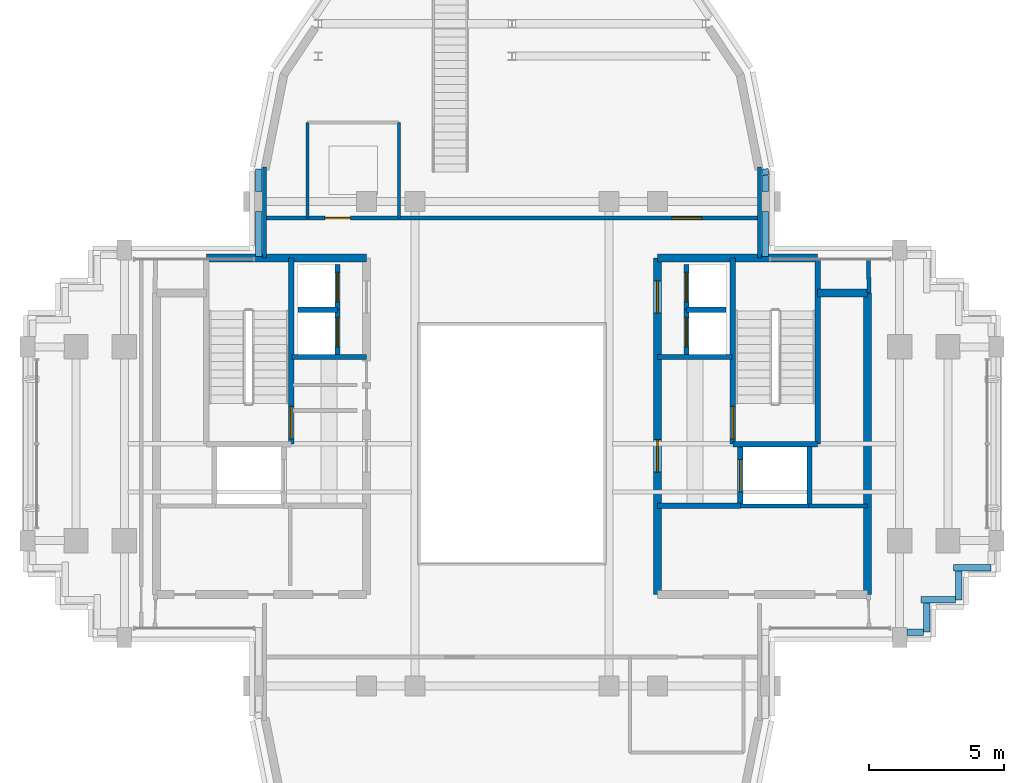
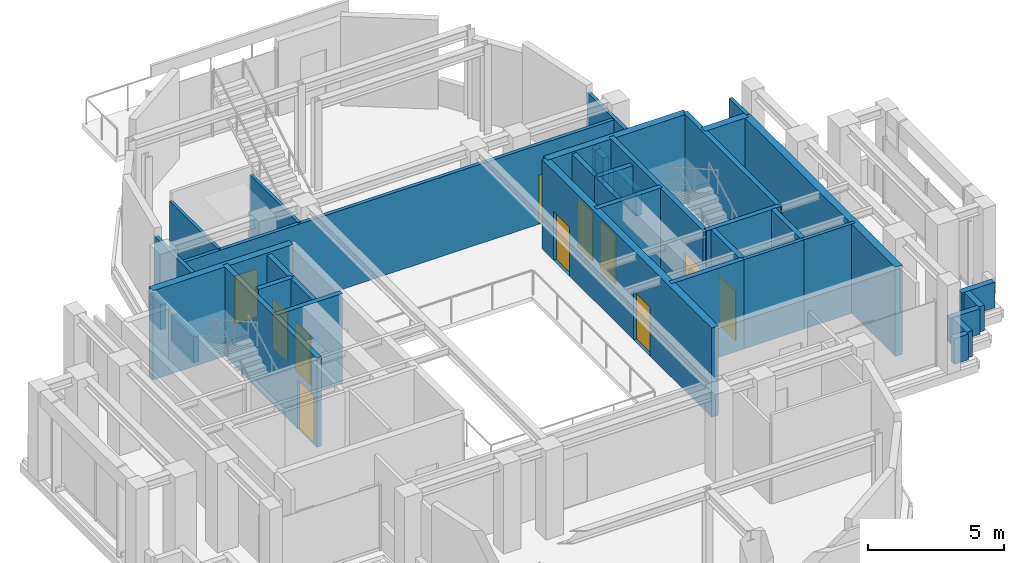
# One storey, part 9 of 14: 38 walls, 11 doors, 11 openings.
"""IFC4 building model written with IfcOpenShell, lengths in metres."""

from ifc_helpers import new_model, si_unit, direction, frame, frame_2d, origin, place, context, subcontext, project, spatial, rectangle, extrude, source, transform, mapped, material, layer, layer_set, type_object, element, fill, save


model = new_model("IFC4")

# Units and contexts
model_context = context("Model", 3, precision=1e-05, world=origin(), true_north=direction((0.0, 1.0)))
body_context = subcontext(model_context, "Body", "Model", "MODEL_VIEW")
ifc_project = project(units=[si_unit("LENGTHUNIT", "METRE"), si_unit("AREAUNIT", "SQUARE_METRE"), si_unit("VOLUMEUNIT", "CUBIC_METRE"), si_unit("PLANEANGLEUNIT", "RADIAN"), si_unit("MASSUNIT", "GRAM", prefix="KILO")], contexts=[model_context])

# Site, building, storey
site_placement = place(None, origin())
site = spatial("IfcSite", under=ifc_project, at=site_placement, CompositionType="ELEMENT")
building_placement = place(site_placement, origin())
building = spatial("IfcBuilding", under=site, at=building_placement, Name="Keilestroom Media Tower", CompositionType="ELEMENT")
storey_placement = place(building_placement, frame((0.0, 0.0, 219.39990234375)))
storey = spatial("IfcBuildingStorey", under=building, at=storey_placement, Name="L60", CompositionType="ELEMENT", Elevation=219.39990234375)

# Walls
ifc_material_1 = material(Name="Gypsum Plasterboard & Steel Stud", Category="steel")
ifc_layer_1 = layer(ifc_material_1, 0.1201171875)
ifc_layer_set_1 = layer_set([ifc_layer_1], Name="Gypsum Plasterboard & Steel Stud")
wall_type_1 = type_object("IfcWallType", Name="Interior-Partition-Wall-120", PredefinedType="PARTITIONING", material=ifc_layer_set_1)
for number, where, z_axis, x_axis, name in (
    (1, (-7.60009765625, 8.3798828125, 0.0), (0.0, 0.0, 1.0), (0.0, 1.0, 0.0), "L60 Interior Wall WP-L60-NL-WC-W"),
    (2, (-4.199951171875, 8.3798828125, 0.0), (0.0, 0.0, 1.0), (0.0, 1.0, 0.0), "L60 Interior Wall WP-L60-NL-WC-E"),
):
    element("IfcWall", number, at=place(storey_placement, frame(where, z_axis=z_axis, x_axis=x_axis)), inside=storey, type_object=wall_type_1, Name=name, PredefinedType="PARTITIONING", context=body_context, shape_type="SweptSolid", body=[
        extrude(rectangle(XDim=3.550048828125, YDim=0.1201171875, at=frame_2d((1.77490234375, 0.0))), origin(), (0.0, 0.0, 1.0), 3.610107421875),
    ])
ifc_layer_2 = layer(ifc_material_1, 0.14990234375)
ifc_layer_set_2 = layer_set([ifc_layer_2], Name="Gypsum Plasterboard & Steel Stud")
wall_type_2 = type_object("IfcWallType", Name="Interior-Partition-Wall-150", PredefinedType="PARTITIONING", material=ifc_layer_set_2)
wall_1_placement = place(storey_placement, frame((11.02001953125, -2.320068359375, 0.0), z_axis=(0.0, 0.0, 1.0), x_axis=(1.0, 0.0, 0.0)))
element("IfcWall", 3, at=wall_1_placement, inside=storey, type_object=wall_type_2, Name="L60 Interior Wall WP-L60-RECLE-N", PredefinedType="PARTITIONING", context=body_context, shape_type="SweptSolid", body=[
    extrude(rectangle(XDim=2.179931640625, YDim=0.14990234375, at=frame_2d((1.08984375, 0.0))), origin(), (0.0, 0.0, 1.0), 4.010009765625),
])
wall_2_placement = place(storey_placement, frame((8.47998046875, -2.320068359375, 0.0), z_axis=(0.0, 0.0, 1.0), x_axis=(1.0, 0.0, 0.0)))
element("IfcWall", 4, at=wall_2_placement, inside=storey, type_object=wall_type_2, Name="L60 Interior Wall WP-L60-RECME-N", PredefinedType="PARTITIONING", context=body_context, shape_type="SweptSolid", body=[
    extrude(rectangle(XDim=2.56005859375, YDim=0.14990234375, at=frame_2d((1.280029296875, 0.0))), origin(), (0.0, 0.0, 1.0), 4.010009765625),
])

# Wall, openings, doors
wall_3_placement = place(storey_placement, frame((-9.199951171875, 8.3798828125, 0.0), z_axis=(0.0, 0.0, 1.0), x_axis=(1.0, 0.0, 0.0)))
wall_3 = element("IfcWall", 5, at=wall_3_placement, inside=storey, type_object=wall_type_2, Name="L60 Interior Wall WP-L60-NL-BASE", PredefinedType="PARTITIONING", context=body_context, shape_type="SweptSolid", body=[
    extrude(rectangle(XDim=18.39990234375, YDim=0.14990234375, at=frame_2d((9.199951171875, 0.0))), origin(), (0.0, 0.0, 1.0), 3.570068359375),
])
opening_1_placement = place(wall_3_placement, frame((2.25, 0.0, 0.0)))
opening_1 = element("IfcOpeningElement", 6, at=opening_1_placement, cuts=wall_3, Name="Opening DI-03", PredefinedType="OPENING", context=body_context, shape_type="SweptSolid", body=[
    extrude(rectangle(XDim=0.949951171875, YDim=2.14990234375, at=frame_2d((0.47509765625, 1.074951171875))), frame((0.0, 0.0849609375, 0.0), z_axis=(0.0, -1.0, 0.0), x_axis=(1.0, 0.0, 0.0)), (0.0, 0.0, 1.0), 0.169921875),
])
opening_2_placement = place(wall_3_placement, frame((15.14990234375, 0.0, 0.0)))
opening_2 = element("IfcOpeningElement", 7, at=opening_2_placement, cuts=wall_3, Name="Opening DI-04", PredefinedType="OPENING", context=body_context, shape_type="SweptSolid", body=[
    extrude(rectangle(XDim=1.10009765625, YDim=2.199951171875, at=frame_2d((0.550048828125, 1.10009765625))), frame((0.0, 0.0849609375, 0.0), z_axis=(0.0, -1.0, 0.0), x_axis=(1.0, 0.0, 0.0)), (0.0, 0.0, 1.0), 0.169921875),
])
ifc_material_2 = material(Name="Lacquered European Oak Leaf", Category="wood")
door_type_1 = type_object("IfcDoorType", Name="Interior-Room-And-Suite-Door-DI-03", OperationType="NOTDEFINED", PredefinedType="DOOR", material=ifc_material_2)
shared_shape_1 = source(origin(), body_context, "Body", "SweptSolid", [
    extrude(rectangle(XDim=0.949951171875, YDim=2.14990234375, at=frame_2d((0.47509765625, 1.074951171875))), frame((0.0, 0.02490234375, 0.0), z_axis=(0.0, -1.0, 0.0), x_axis=(1.0, 0.0, 0.0)), (0.0, 0.0, 1.0), 0.050048828125),
])
door_1_placement = place(opening_1_placement, origin())
door_1 = element("IfcDoor", 8, at=door_1_placement, inside=storey, type_object=door_type_1, Name="L60 Interior Door DI-L60-DNL-WC", OperationType="SINGLE_SWING_RIGHT", OverallHeight=2.14990234375, OverallWidth=0.949951171875, PredefinedType="DOOR", context=body_context, shape_type="MappedRepresentation", body=[
    mapped(shared_shape_1, transform((0.0, 0.0, 0.0), x_axis=(1.0, 0.0, 0.0), y_axis=(0.0, 1.0, 0.0), z_axis=(0.0, 0.0, 1.0), scale=1.0)),
])
fill(opening_1, door_1)
ifc_material_3 = material(Name="Acoustic Glazed Aluminium Leaf", Category="aluminium")
door_type_2 = type_object("IfcDoorType", Name="Interior-Room-And-Suite-Door-DI-04", OperationType="NOTDEFINED", PredefinedType="DOOR", material=ifc_material_3)
shared_shape_2 = source(origin(), body_context, "Body", "SweptSolid", [
    extrude(rectangle(XDim=1.10009765625, YDim=2.199951171875, at=frame_2d((0.550048828125, 1.10009765625))), frame((0.0, 0.02490234375, 0.0), z_axis=(0.0, -1.0, 0.0), x_axis=(1.0, 0.0, 0.0)), (0.0, 0.0, 1.0), 0.050048828125),
])
door_2_placement = place(opening_2_placement, origin())
door_2 = element("IfcDoor", 9, at=door_2_placement, inside=storey, type_object=door_type_2, Name="L60 Interior Door DI-L60-DNL-HALL", OperationType="SINGLE_SWING_LEFT", OverallHeight=2.199951171875, OverallWidth=1.10009765625, PredefinedType="DOOR", context=body_context, shape_type="MappedRepresentation", body=[
    mapped(shared_shape_2, transform((0.0, 0.0, 0.0), x_axis=(1.0, 0.0, 0.0), y_axis=(0.0, 1.0, 0.0), z_axis=(0.0, 0.0, 1.0), scale=1.0)),
])
fill(opening_2, door_2)

# Walls
for number, where, z_axis, x_axis, name in (
    (10, (-9.199951171875, 6.89990234375, 0.0), (0.0, 0.0, 1.0), (0.0, 1.0, 0.0), "L60 Interior Wall WP-L60-NL-CHKW"),
    (11, (9.199951171875, 6.89990234375, 0.0), (0.0, 0.0, 1.0), (0.0, 1.0, 0.0), "L60 Interior Wall WP-L60-NL-CHKE"),
):
    element("IfcWall", number, at=place(storey_placement, frame(where, z_axis=z_axis, x_axis=x_axis)), inside=storey, type_object=wall_type_2, Name=name, PredefinedType="PARTITIONING", context=body_context, shape_type="SweptSolid", body=[
        extrude(rectangle(XDim=3.380126953125, YDim=0.14990234375, at=frame_2d((1.68994140625, 0.0))), origin(), (0.0, 0.0, 1.0), 3.610107421875),
    ])
wall_4_placement = place(storey_placement, frame((13.260009765625, 5.60009765625, 0.0), z_axis=(0.0, 0.0, 1.0), x_axis=(-0.016013571389, 0.999871774545, 0.0)))
element("IfcWall", 12, at=wall_4_placement, inside=storey, type_object=wall_type_2, Name="L60 Interior Wall WP-L60-EA-ENTN", PredefinedType="PARTITIONING", context=body_context, shape_type="SweptSolid", body=[
    extrude(rectangle(XDim=1.250244140625, YDim=0.14990234375, at=frame_2d((0.625, 0.0))), origin(), (0.0, 0.0, 1.0), 4.010009765625),
])
ifc_material_4 = material(Name="Concrete C50/60", Category="concrete")
ifc_layer_3 = layer(ifc_material_4, 0.300048828125)
ifc_layer_set_3 = layer_set([ifc_layer_3], Name="Concrete C50/60")
wall_type_3 = type_object("IfcWallType", Name="Reinforced-Concrete-Core-Shear-Wall-300", PredefinedType="SHEAR", material=ifc_layer_set_3)
wall_5_placement = place(storey_placement, frame((-11.35595703125, 6.89990234375, 0.0), z_axis=(0.0, 0.0, 1.0), x_axis=(1.0, 0.0, 0.0)))
element("IfcWall", 13, at=wall_5_placement, inside=storey, type_object=wall_type_3, Name="L60 Core Shear Wall WL-L60-CORE-W-N", PredefinedType="SHEAR", context=body_context, shape_type="SweptSolid", body=[
    extrude(rectangle(XDim=5.9560546875, YDim=0.300048828125, at=frame_2d((2.97802734375, 0.0))), origin(), (0.0, 0.0, 1.0), 4.010009765625),
])
wall_6_placement = place(storey_placement, frame((13.199951171875, -5.60009765625, 0.0), z_axis=(0.0, 0.0, 1.0), x_axis=(0.0, 1.0, 0.0)))
element("IfcWall", 14, at=wall_6_placement, inside=storey, type_object=wall_type_3, Name="L60 Core Shear Wall WL-L60-CORE-E-OUT", PredefinedType="SHEAR", context=body_context, shape_type="SweptSolid", body=[
    extrude(rectangle(XDim=11.2001953125, YDim=0.300048828125, at=frame_2d((5.60009765625, 0.0))), origin(), (0.0, 0.0, 1.0), 4.010009765625),
])

# Wall, openings, doors
wall_7_placement = place(storey_placement, frame((5.39990234375, -5.60009765625, 0.0), z_axis=(0.0, 0.0, 1.0), x_axis=(0.0, 1.0, 0.0)))
wall_7 = element("IfcWall", 15, at=wall_7_placement, inside=storey, type_object=wall_type_3, Name="L60 Core Shear Wall WL-L60-CORE-E-IN", PredefinedType="SHEAR", context=body_context, shape_type="SweptSolid", body=[
    extrude(rectangle(XDim=12.5, YDim=0.300048828125, at=frame_2d((6.25, 0.0))), origin(), (0.0, 0.0, 1.0), 4.010009765625),
])
opening_3_placement = place(wall_7_placement, frame((4.550048828125, 0.0, 0.0)))
opening_3 = element("IfcOpeningElement", 16, at=opening_3_placement, cuts=wall_7, Name="Opening DI-02", PredefinedType="OPENING", context=body_context, shape_type="SweptSolid", body=[
    extrude(rectangle(XDim=1.199951171875, YDim=2.199951171875, at=frame_2d((0.60009765625, 1.10009765625))), frame((0.0, 0.16015625, 0.0), z_axis=(0.0, -1.0, 0.0), x_axis=(1.0, 0.0, 0.0)), (0.0, 0.0, 1.0), 0.320068359375),
])
opening_4_placement = place(wall_7_placement, frame((10.449951171875, 0.0, 0.0)))
opening_4 = element("IfcOpeningElement", 17, at=opening_4_placement, cuts=wall_7, Name="Opening DI-02", PredefinedType="OPENING", context=body_context, shape_type="SweptSolid", body=[
    extrude(rectangle(XDim=1.199951171875, YDim=2.199951171875, at=frame_2d((0.60009765625, 1.10009765625))), frame((0.0, 0.16015625, 0.0), z_axis=(0.0, -1.0, 0.0), x_axis=(1.0, 0.0, 0.0)), (0.0, 0.0, 1.0), 0.320068359375),
])
ifc_material_5 = material(Name="Powder-Coated Steel Fire Leaf", Category="steel")
door_type_3 = type_object("IfcDoorType", Name="Interior-Compartment-Fire-Door-DI-02", OperationType="NOTDEFINED", PredefinedType="DOOR", material=ifc_material_5)
shared_shape_3 = source(origin(), body_context, "Body", "SweptSolid", [
    extrude(rectangle(XDim=1.199951171875, YDim=2.199951171875, at=frame_2d((0.60009765625, 1.10009765625))), frame((0.0, 0.02490234375, 0.0), z_axis=(0.0, -1.0, 0.0), x_axis=(1.0, 0.0, 0.0)), (0.0, 0.0, 1.0), 0.050048828125),
])
door_3_placement = place(opening_3_placement, origin())
door_3 = element("IfcDoor", 18, at=door_3_placement, inside=storey, type_object=door_type_3, Name="L60 E Firefighting Lobby Door", OperationType="SINGLE_SWING_LEFT", OverallHeight=2.199951171875, OverallWidth=1.199951171875, PredefinedType="DOOR", context=body_context, shape_type="MappedRepresentation", body=[
    mapped(shared_shape_3, transform((0.0, 0.0, 0.0), x_axis=(1.0, 0.0, 0.0), y_axis=(0.0, 1.0, 0.0), z_axis=(0.0, 0.0, 1.0), scale=1.0)),
])
fill(opening_3, door_3)
door_4_placement = place(opening_4_placement, origin())
door_4 = element("IfcDoor", 19, at=door_4_placement, inside=storey, type_object=door_type_3, Name="L60 E High-Rise Lift Lobby Door", OperationType="SINGLE_SWING_RIGHT", OverallHeight=2.199951171875, OverallWidth=1.199951171875, PredefinedType="DOOR", context=body_context, shape_type="MappedRepresentation", body=[
    mapped(shared_shape_3, transform((0.0, 0.0, 0.0), x_axis=(1.0, 0.0, 0.0), y_axis=(0.0, 1.0, 0.0), z_axis=(0.0, 0.0, 1.0), scale=1.0)),
])
fill(opening_4, door_4)

# Walls
wall_8_placement = place(storey_placement, frame((5.39990234375, 6.89990234375, 0.0), z_axis=(0.0, 0.0, 1.0), x_axis=(1.0, 0.0, 0.0)))
element("IfcWall", 20, at=wall_8_placement, inside=storey, type_object=wall_type_3, Name="L60 Core Shear Wall WL-L60-CORE-E-N", PredefinedType="SHEAR", context=body_context, shape_type="SweptSolid", body=[
    extrude(rectangle(XDim=5.9560546875, YDim=0.300048828125, at=frame_2d((2.97802734375, 0.0))), origin(), (0.0, 0.0, 1.0), 4.010009765625),
])
wall_9_placement = place(storey_placement, frame((11.35595703125, 5.60009765625, 0.0), z_axis=(0.0, 0.0, 1.0), x_axis=(1.0, 0.0, 0.0)))
element("IfcWall", 21, at=wall_9_placement, inside=storey, type_object=wall_type_3, Name="L60 Core Shear Wall WL-L60-CNE-N", PredefinedType="SHEAR", context=body_context, shape_type="SweptSolid", body=[
    extrude(rectangle(XDim=1.843994140625, YDim=0.300048828125, at=frame_2d((0.921875, 0.0))), origin(), (0.0, 0.0, 1.0), 4.010009765625),
])
ifc_layer_4 = layer(ifc_material_4, 0.199951171875)
ifc_layer_set_4 = layer_set([ifc_layer_4], Name="Concrete C50/60")
wall_type_4 = type_object("IfcWallType", Name="Reinforced-Concrete-Shaft-Wall-200", PredefinedType="SOLIDWALL", material=ifc_layer_set_4)
wall_10_placement = place(storey_placement, frame((-8.179931640625, 3.219970703125, 0.0), z_axis=(0.0, 0.0, 1.0), x_axis=(1.0, 0.0, 0.0)))
element("IfcWall", 22, at=wall_10_placement, inside=storey, type_object=wall_type_4, Name="L60 Core Shear Wall WL-L60-CORE-W-FFN", PredefinedType="SOLIDWALL", context=body_context, shape_type="SweptSolid", body=[
    extrude(rectangle(XDim=2.780029296875, YDim=0.199951171875, at=frame_2d((1.39013671875, 0.0))), origin(), (0.0, 0.0, 1.0), 4.010009765625),
])

# Wall, opening, door
wall_11_placement = place(storey_placement, frame((-8.2041015625, -0.01611328125, 0.0), z_axis=(0.0, 0.0, 1.0), x_axis=(0.0, 1.0, 0.0)))
wall_11 = element("IfcWall", 23, at=wall_11_placement, inside=storey, type_object=wall_type_4, Name="L60 Core Shear Wall WL-L60-STW-W-NEAR", PredefinedType="SOLIDWALL", context=body_context, shape_type="SweptSolid", body=[
    extrude(rectangle(XDim=6.916015625, YDim=0.199951171875, at=frame_2d((3.4580078125, 0.0))), origin(), (0.0, 0.0, 1.0), 4.010009765625),
])
opening_5_placement = place(wall_11_placement, frame((0.199951171875, 0.0, 0.0)))
opening_5 = element("IfcOpeningElement", 24, at=opening_5_placement, cuts=wall_11, Name="Opening DI-01S", PredefinedType="OPENING", context=body_context, shape_type="SweptSolid", body=[
    extrude(rectangle(XDim=1.199951171875, YDim=2.199951171875, at=frame_2d((0.60009765625, 1.10009765625))), frame((0.0, 0.10986328125, 0.0), z_axis=(0.0, -1.0, 0.0), x_axis=(1.0, 0.0, 0.0)), (0.0, 0.0, 1.0), 0.219970703125),
])
door_type_4 = type_object("IfcDoorType", Name="Interior-Stair-And-Core-Fire-Door-DI-01", OperationType="NOTDEFINED", PredefinedType="DOOR", material=ifc_material_5)
door_5_placement = place(opening_5_placement, origin())
door_5 = element("IfcDoor", 25, at=door_5_placement, inside=storey, type_object=door_type_4, Name="L60 Escape Stair ST-1 Fire Door", OperationType="SINGLE_SWING_LEFT", OverallHeight=2.199951171875, OverallWidth=1.199951171875, PredefinedType="DOOR", context=body_context, shape_type="MappedRepresentation", body=[
    mapped(shared_shape_3, transform((0.0, 0.0, 0.0), x_axis=(1.0, 0.0, 0.0), y_axis=(0.0, 1.0, 0.0), z_axis=(0.0, 0.0, 1.0), scale=1.0)),
])
fill(opening_5, door_5)

# Walls
wall_12_placement = place(storey_placement, frame((5.39990234375, 3.219970703125, 0.0), z_axis=(0.0, 0.0, 1.0), x_axis=(1.0, 0.0, 0.0)))
element("IfcWall", 26, at=wall_12_placement, inside=storey, type_object=wall_type_4, Name="L60 Core Shear Wall WL-L60-CORE-E-FFN", PredefinedType="SOLIDWALL", context=body_context, shape_type="SweptSolid", body=[
    extrude(rectangle(XDim=2.780029296875, YDim=0.199951171875, at=frame_2d((1.39013671875, 0.0))), origin(), (0.0, 0.0, 1.0), 4.010009765625),
])
wall_13_placement = place(storey_placement, frame((5.39990234375, -2.300048828125, 0.0), z_axis=(0.0, 0.0, 1.0), x_axis=(1.0, 0.0, 0.0)))
element("IfcWall", 27, at=wall_13_placement, inside=storey, type_object=wall_type_4, Name="L60 Core Shear Wall WL-L60-CORE-E-FFS", PredefinedType="SOLIDWALL", context=body_context, shape_type="SweptSolid", body=[
    extrude(rectangle(XDim=3.080078125, YDim=0.199951171875, at=frame_2d((1.5400390625, 0.0))), origin(), (0.0, 0.0, 1.0), 4.010009765625),
])

# Wall, opening, door
wall_14_placement = place(storey_placement, frame((8.2041015625, -0.01611328125, 0.0), z_axis=(0.0, 0.0, 1.0), x_axis=(0.0, 1.0, 0.0)))
wall_14 = element("IfcWall", 28, at=wall_14_placement, inside=storey, type_object=wall_type_4, Name="L60 Core Shear Wall WL-L60-STW-E-NEAR", PredefinedType="SOLIDWALL", context=body_context, shape_type="SweptSolid", body=[
    extrude(rectangle(XDim=6.916015625, YDim=0.199951171875, at=frame_2d((3.4580078125, 0.0))), origin(), (0.0, 0.0, 1.0), 4.010009765625),
])
opening_6_placement = place(wall_14_placement, frame((0.199951171875, 0.0, 0.0)))
opening_6 = element("IfcOpeningElement", 29, at=opening_6_placement, cuts=wall_14, Name="Opening DI-01S", PredefinedType="OPENING", context=body_context, shape_type="SweptSolid", body=[
    extrude(rectangle(XDim=1.199951171875, YDim=2.199951171875, at=frame_2d((0.60009765625, 1.10009765625))), frame((0.0, 0.10986328125, 0.0), z_axis=(0.0, -1.0, 0.0), x_axis=(1.0, 0.0, 0.0)), (0.0, 0.0, 1.0), 0.219970703125),
])
door_6_placement = place(opening_6_placement, origin())
door_6 = element("IfcDoor", 30, at=door_6_placement, inside=storey, type_object=door_type_4, Name="L60 Escape Stair ST-2 Fire Door", OperationType="SINGLE_SWING_RIGHT", OverallHeight=2.199951171875, OverallWidth=1.199951171875, PredefinedType="DOOR", context=body_context, shape_type="MappedRepresentation", body=[
    mapped(shared_shape_3, transform((0.0, 0.0, 0.0), x_axis=(1.0, 0.0, 0.0), y_axis=(0.0, 1.0, 0.0), z_axis=(0.0, 0.0, 1.0), scale=1.0)),
])
fill(opening_6, door_6)

# Walls
wall_15_placement = place(storey_placement, frame((11.35595703125, -0.01611328125, 0.0), z_axis=(0.0, 0.0, 1.0), x_axis=(0.0, 1.0, 0.0)))
element("IfcWall", 31, at=wall_15_placement, inside=storey, type_object=wall_type_4, Name="L60 Core Shear Wall WL-L60-STW-E-FAR", PredefinedType="SOLIDWALL", context=body_context, shape_type="SweptSolid", body=[
    extrude(rectangle(XDim=6.916015625, YDim=0.199951171875, at=frame_2d((3.4580078125, 0.0))), origin(), (0.0, 0.0, 1.0), 4.010009765625),
])
wall_16_placement = place(storey_placement, frame((8.2041015625, -0.01611328125, 0.0), z_axis=(0.0, 0.0, 1.0), x_axis=(1.0, 0.0, 0.0)))
element("IfcWall", 32, at=wall_16_placement, inside=storey, type_object=wall_type_4, Name="L60 Core Shear Wall WL-L60-STW-E-S", PredefinedType="SOLIDWALL", context=body_context, shape_type="SweptSolid", body=[
    extrude(rectangle(XDim=3.15185546875, YDim=0.199951171875, at=frame_2d((1.575927734375, 0.0))), origin(), (0.0, 0.0, 1.0), 4.010009765625),
])

# Wall, opening, door
wall_17_placement = place(storey_placement, frame((8.47998046875, -2.280029296875, 0.0), z_axis=(0.0, 0.0, 1.0), x_axis=(0.0, 1.0, 0.0)))
wall_17 = element("IfcWall", 33, at=wall_17_placement, inside=storey, type_object=wall_type_4, Name="L60 Core Shear Wall WL-L60-LSH-FFL-2-W", PredefinedType="SOLIDWALL", context=body_context, shape_type="SweptSolid", body=[
    extrude(rectangle(XDim=2.179931640625, YDim=0.199951171875, at=frame_2d((1.08984375, 0.0))), origin(), (0.0, 0.0, 1.0), 4.010009765625),
])
opening_7_placement = place(wall_17_placement, frame((0.489990234375, 0.0, 0.0)))
opening_7 = element("IfcOpeningElement", 34, at=opening_7_placement, cuts=wall_17, Name="Opening LD-02", PredefinedType="OPENING", context=body_context, shape_type="SweptSolid", body=[
    extrude(rectangle(XDim=1.199951171875, YDim=2.199951171875, at=frame_2d((0.60009765625, 1.10009765625))), frame((0.0, 0.10986328125, 0.0), z_axis=(0.0, -1.0, 0.0), x_axis=(1.0, 0.0, 0.0)), (0.0, 0.0, 1.0), 0.219970703125),
])
ifc_material_6 = material(Name="Brushed Stainless Steel Sliding Leaf", Category="steel")
door_type_5 = type_object("IfcDoorType", Name="Lift-Landing-Sliding-Door-LD-02", OperationType="SLIDING_TO_RIGHT", PredefinedType="DOOR", material=ifc_material_6)
door_7_placement = place(opening_7_placement, origin())
door_7 = element("IfcDoor", 35, at=door_7_placement, inside=storey, type_object=door_type_5, Name="L60 Lift FFL-2 Landing Sliding Door", OperationType="SLIDING_TO_RIGHT", OverallHeight=2.199951171875, OverallWidth=1.199951171875, PredefinedType="DOOR", context=body_context, shape_type="MappedRepresentation", body=[
    mapped(shared_shape_3, transform((0.0, 0.0, 0.0), x_axis=(1.0, 0.0, 0.0), y_axis=(0.0, 1.0, 0.0), z_axis=(0.0, 0.0, 1.0), scale=1.0)),
])
fill(opening_7, door_7)

# Wall
wall_18_placement = place(storey_placement, frame((11.050048828125, -2.280029296875, 0.0), z_axis=(0.0, 0.0, 1.0), x_axis=(0.0, 1.0, 0.0)))
element("IfcWall", 36, at=wall_18_placement, inside=storey, type_object=wall_type_4, Name="L60 Core Shear Wall WL-L60-LSH-FFL-2-E", PredefinedType="SOLIDWALL", context=body_context, shape_type="SweptSolid", body=[
    extrude(rectangle(XDim=2.179931640625, YDim=0.199951171875, at=frame_2d((1.08984375, 0.0))), origin(), (0.0, 0.0, 1.0), 4.010009765625),
])

# Wall, opening, door
wall_19_placement = place(storey_placement, frame((-6.47998046875, 3.300048828125, 0.0), z_axis=(0.0, 0.0, 1.0), x_axis=(0.0, 1.0, 0.0)))
wall_19 = element("IfcWall", 37, at=wall_19_placement, inside=storey, type_object=wall_type_4, Name="L60 Core Shear Wall WL-L60-LSH-PL-H1-E", PredefinedType="SOLIDWALL", context=body_context, shape_type="SweptSolid", body=[
    extrude(rectangle(XDim=1.679931640625, YDim=0.199951171875, at=frame_2d((0.83984375, 0.0))), origin(), (0.0, 0.0, 1.0), 4.010009765625),
])
opening_8_placement = place(wall_19_placement, frame((0.2900390625, 0.0, 0.0)))
opening_8 = element("IfcOpeningElement", 38, at=opening_8_placement, cuts=wall_19, Name="Opening LD-01", PredefinedType="OPENING", context=body_context, shape_type="SweptSolid", body=[
    extrude(rectangle(XDim=1.10009765625, YDim=2.199951171875, at=frame_2d((0.550048828125, 1.10009765625))), frame((0.0, 0.10986328125, 0.0), z_axis=(0.0, -1.0, 0.0), x_axis=(1.0, 0.0, 0.0)), (0.0, 0.0, 1.0), 0.219970703125),
])
door_type_6 = type_object("IfcDoorType", Name="Lift-Landing-Sliding-Door-LD-01", OperationType="SLIDING_TO_LEFT", PredefinedType="DOOR", material=ifc_material_6)
door_8_placement = place(opening_8_placement, origin())
door_8 = element("IfcDoor", 39, at=door_8_placement, inside=storey, type_object=door_type_6, Name="L60 Lift PL-H1 Landing Sliding Door", OperationType="SLIDING_TO_LEFT", OverallHeight=2.199951171875, OverallWidth=1.10009765625, PredefinedType="DOOR", context=body_context, shape_type="MappedRepresentation", body=[
    mapped(shared_shape_2, transform((0.0, 0.0, 0.0), x_axis=(1.0, 0.0, 0.0), y_axis=(0.0, 1.0, 0.0), z_axis=(0.0, 0.0, 1.0), scale=1.0)),
])
fill(opening_8, door_8)

# Wall
wall_20_placement = place(storey_placement, frame((-7.949951171875, 4.97998046875, 0.0), z_axis=(0.0, 0.0, 1.0), x_axis=(1.0, 0.0, 0.0)))
element("IfcWall", 40, at=wall_20_placement, inside=storey, type_object=wall_type_4, Name="L60 Core Shear Wall WL-L60-LSH-PL-H1-N", PredefinedType="SOLIDWALL", context=body_context, shape_type="SweptSolid", body=[
    extrude(rectangle(XDim=1.469970703125, YDim=0.199951171875, at=frame_2d((0.73486328125, 0.0))), origin(), (0.0, 0.0, 1.0), 4.010009765625),
])

# Wall, opening, door
wall_21_placement = place(storey_placement, frame((-6.47998046875, 4.97998046875, 0.0), z_axis=(0.0, 0.0, 1.0), x_axis=(0.0, 1.0, 0.0)))
wall_21 = element("IfcWall", 41, at=wall_21_placement, inside=storey, type_object=wall_type_4, Name="L60 Core Shear Wall WL-L60-LSH-PL-H2-E", PredefinedType="SOLIDWALL", context=body_context, shape_type="SweptSolid", body=[
    extrude(rectangle(XDim=1.669921875, YDim=0.199951171875, at=frame_2d((0.8349609375, 0.0))), origin(), (0.0, 0.0, 1.0), 4.010009765625),
])
opening_9_placement = place(wall_21_placement, frame((0.284912109375, 0.0, 0.0)))
opening_9 = element("IfcOpeningElement", 42, at=opening_9_placement, cuts=wall_21, Name="Opening LD-01", PredefinedType="OPENING", context=body_context, shape_type="SweptSolid", body=[
    extrude(rectangle(XDim=1.10009765625, YDim=2.199951171875, at=frame_2d((0.550048828125, 1.10009765625))), frame((0.0, 0.10986328125, 0.0), z_axis=(0.0, -1.0, 0.0), x_axis=(1.0, 0.0, 0.0)), (0.0, 0.0, 1.0), 0.219970703125),
])
door_9_placement = place(opening_9_placement, origin())
door_9 = element("IfcDoor", 43, at=door_9_placement, inside=storey, type_object=door_type_6, Name="L60 Lift PL-H2 Landing Sliding Door", OperationType="SLIDING_TO_LEFT", OverallHeight=2.199951171875, OverallWidth=1.10009765625, PredefinedType="DOOR", context=body_context, shape_type="MappedRepresentation", body=[
    mapped(shared_shape_2, transform((0.0, 0.0, 0.0), x_axis=(1.0, 0.0, 0.0), y_axis=(0.0, 1.0, 0.0), z_axis=(0.0, 0.0, 1.0), scale=1.0)),
])
fill(opening_9, door_9)

wall_22_placement = place(storey_placement, frame((6.47998046875, 3.300048828125, 0.0), z_axis=(0.0, 0.0, 1.0), x_axis=(0.0, 1.0, 0.0)))
wall_22 = element("IfcWall", 44, at=wall_22_placement, inside=storey, type_object=wall_type_4, Name="L60 Core Shear Wall WL-L60-LSH-PL-H3-W", PredefinedType="SOLIDWALL", context=body_context, shape_type="SweptSolid", body=[
    extrude(rectangle(XDim=1.679931640625, YDim=0.199951171875, at=frame_2d((0.83984375, 0.0))), origin(), (0.0, 0.0, 1.0), 4.010009765625),
])
opening_10_placement = place(wall_22_placement, frame((0.2900390625, 0.0, 0.0)))
opening_10 = element("IfcOpeningElement", 45, at=opening_10_placement, cuts=wall_22, Name="Opening LD-01", PredefinedType="OPENING", context=body_context, shape_type="SweptSolid", body=[
    extrude(rectangle(XDim=1.10009765625, YDim=2.199951171875, at=frame_2d((0.550048828125, 1.10009765625))), frame((0.0, 0.10986328125, 0.0), z_axis=(0.0, -1.0, 0.0), x_axis=(1.0, 0.0, 0.0)), (0.0, 0.0, 1.0), 0.219970703125),
])
door_10_placement = place(opening_10_placement, origin())
door_10 = element("IfcDoor", 46, at=door_10_placement, inside=storey, type_object=door_type_6, Name="L60 Lift PL-H3 Landing Sliding Door", OperationType="SLIDING_TO_LEFT", OverallHeight=2.199951171875, OverallWidth=1.10009765625, PredefinedType="DOOR", context=body_context, shape_type="MappedRepresentation", body=[
    mapped(shared_shape_2, transform((0.0, 0.0, 0.0), x_axis=(1.0, 0.0, 0.0), y_axis=(0.0, 1.0, 0.0), z_axis=(0.0, 0.0, 1.0), scale=1.0)),
])
fill(opening_10, door_10)

# Wall
wall_23_placement = place(storey_placement, frame((6.47998046875, 4.97998046875, 0.0), z_axis=(0.0, 0.0, 1.0), x_axis=(1.0, 0.0, 0.0)))
element("IfcWall", 47, at=wall_23_placement, inside=storey, type_object=wall_type_4, Name="L60 Core Shear Wall WL-L60-LSH-PL-H3-N", PredefinedType="SOLIDWALL", context=body_context, shape_type="SweptSolid", body=[
    extrude(rectangle(XDim=1.469970703125, YDim=0.199951171875, at=frame_2d((0.73486328125, 0.0))), origin(), (0.0, 0.0, 1.0), 4.010009765625),
])

# Wall, opening, door
wall_24_placement = place(storey_placement, frame((6.47998046875, 4.97998046875, 0.0), z_axis=(0.0, 0.0, 1.0), x_axis=(0.0, 1.0, 0.0)))
wall_24 = element("IfcWall", 48, at=wall_24_placement, inside=storey, type_object=wall_type_4, Name="L60 Core Shear Wall WL-L60-LSH-PL-H4-W", PredefinedType="SOLIDWALL", context=body_context, shape_type="SweptSolid", body=[
    extrude(rectangle(XDim=1.669921875, YDim=0.199951171875, at=frame_2d((0.8349609375, 0.0))), origin(), (0.0, 0.0, 1.0), 4.010009765625),
])
opening_11_placement = place(wall_24_placement, frame((0.284912109375, 0.0, 0.0)))
opening_11 = element("IfcOpeningElement", 49, at=opening_11_placement, cuts=wall_24, Name="Opening LD-01", PredefinedType="OPENING", context=body_context, shape_type="SweptSolid", body=[
    extrude(rectangle(XDim=1.10009765625, YDim=2.199951171875, at=frame_2d((0.550048828125, 1.10009765625))), frame((0.0, 0.10986328125, 0.0), z_axis=(0.0, -1.0, 0.0), x_axis=(1.0, 0.0, 0.0)), (0.0, 0.0, 1.0), 0.219970703125),
])
door_11_placement = place(opening_11_placement, origin())
door_11 = element("IfcDoor", 50, at=door_11_placement, inside=storey, type_object=door_type_6, Name="L60 Lift PL-H4 Landing Sliding Door", OperationType="SLIDING_TO_LEFT", OverallHeight=2.199951171875, OverallWidth=1.10009765625, PredefinedType="DOOR", context=body_context, shape_type="MappedRepresentation", body=[
    mapped(shared_shape_2, transform((0.0, 0.0, 0.0), x_axis=(1.0, 0.0, 0.0), y_axis=(0.0, 1.0, 0.0), z_axis=(0.0, 0.0, 1.0), scale=1.0)),
])
fill(opening_11, door_11)

# Walls
ifc_material_7 = material(Name="Precast concrete C40/50", Category="concrete")
ifc_layer_5 = layer(ifc_material_7, 0.239990234375)
ifc_layer_set_5 = layer_set([ifc_layer_5], Name="Precast concrete C40/50")
wall_type_5 = type_object("IfcWallType", Name="Roof-And-Terrace-Parapet-Wall-240", PredefinedType="PARAPET", material=ifc_layer_set_5)
wall_25_placement = place(storey_placement, frame((17.800048828125, -4.60009765625, 0.0), z_axis=(0.0, 0.0, 1.0), x_axis=(-1.0, 0.0, 0.0)))
element("IfcWall", 51, at=wall_25_placement, inside=storey, type_object=wall_type_5, Name="L60 Perimeter Edge Parapet Wall 01", PredefinedType="PARAPET", context=body_context, shape_type="SweptSolid", body=[
    extrude(rectangle(XDim=1.400146484375, YDim=0.239990234375, at=frame_2d((0.7001953125, 0.0))), origin(), (0.0, 0.0, 1.0), 1.150146484375),
])
wall_26_placement = place(storey_placement, frame((16.60009765625, -4.722900390625, 0.0), z_axis=(0.0, 0.0, 1.0), x_axis=(0.0, -1.0, 0.0)))
element("IfcWall", 52, at=wall_26_placement, inside=storey, type_object=wall_type_5, Name="L60 Perimeter Edge Parapet Wall 02", PredefinedType="PARAPET", context=body_context, shape_type="SweptSolid", body=[
    extrude(rectangle(XDim=1.0771484375, YDim=0.239990234375, at=frame_2d((0.53857421875, 0.0))), origin(), (0.0, 0.0, 1.0), 1.150146484375),
])
wall_27_placement = place(storey_placement, frame((16.47705078125, -5.800048828125, 0.0), z_axis=(0.0, 0.0, 1.0), x_axis=(-1.0, 0.0, 0.0)))
element("IfcWall", 53, at=wall_27_placement, inside=storey, type_object=wall_type_5, Name="L60 Perimeter Edge Parapet Wall 03", PredefinedType="PARAPET", context=body_context, shape_type="SweptSolid", body=[
    extrude(rectangle(XDim=1.277099609375, YDim=0.239990234375, at=frame_2d((0.638671875, 0.0))), origin(), (0.0, 0.0, 1.0), 1.150146484375),
])
wall_28_placement = place(storey_placement, frame((15.39990234375, -5.923095703125, 0.0), z_axis=(0.0, 0.0, 1.0), x_axis=(0.0, -1.0, 0.0)))
element("IfcWall", 54, at=wall_28_placement, inside=storey, type_object=wall_type_5, Name="L60 Perimeter Edge Parapet Wall 04", PredefinedType="PARAPET", context=body_context, shape_type="SweptSolid", body=[
    extrude(rectangle(XDim=1.076904296875, YDim=0.239990234375, at=frame_2d((0.53857421875, 0.0))), origin(), (0.0, 0.0, 1.0), 1.150146484375),
])
wall_29_placement = place(storey_placement, frame((15.277099609375, -7.0, 0.0), z_axis=(0.0, 0.0, 1.0), x_axis=(-1.0, 0.0, 0.0)))
element("IfcWall", 55, at=wall_29_placement, inside=storey, type_object=wall_type_5, Name="L60 Perimeter Edge Parapet Wall 05", PredefinedType="PARAPET", context=body_context, shape_type="SweptSolid", body=[
    extrude(rectangle(XDim=0.59912109375, YDim=0.239990234375, at=frame_2d((0.299560546875, 0.0))), origin(), (0.0, 0.0, 1.0), 1.150146484375),
])
wall_30_placement = place(storey_placement, frame((-9.39990234375, 6.952880859375, 0.0), z_axis=(0.0, 0.0, 1.0), x_axis=(0.0, 1.0, 0.0)))
element("IfcWall", 56, at=wall_30_placement, inside=storey, type_object=wall_type_5, Name="L60 Perimeter Edge Parapet Wall 24", PredefinedType="PARAPET", context=body_context, shape_type="SweptSolid", body=[
    extrude(rectangle(XDim=1.669189453125, YDim=0.239990234375, at=frame_2d((0.83447265625, 0.0))), origin(), (0.0, 0.0, 1.0), 1.150146484375),
])
wall_31_placement = place(storey_placement, frame((-9.39990234375, 9.3779296875, 0.0), z_axis=(0.0, 0.0, 1.0), x_axis=(0.0, 1.0, 0.0)))
element("IfcWall", 57, at=wall_31_placement, inside=storey, type_object=wall_type_5, Name="L60 Perimeter Edge Parapet Wall 25", PredefinedType="PARAPET", context=body_context, shape_type="SweptSolid", body=[
    extrude(rectangle(XDim=0.824951171875, YDim=0.239990234375, at=frame_2d((0.41259765625, 0.0))), origin(), (0.0, 0.0, 1.0), 1.150146484375),
])
wall_32_placement = place(storey_placement, frame((9.395263671875, 10.2041015625, 0.0), z_axis=(0.0, 0.0, 1.0), x_axis=(0.194859894132, -0.980831087221, 0.0)))
element("IfcWall", 58, at=wall_32_placement, inside=storey, type_object=wall_type_5, Name="L60 Perimeter Edge Parapet Wall 28", PredefinedType="PARAPET", context=body_context, shape_type="SweptSolid", body=[
    extrude(rectangle(XDim=0.224365234375, YDim=0.239990234375, at=frame_2d((0.1123046875, 0.0))), origin(), (0.0, 0.0, 1.0), 1.150146484375),
])
wall_33_placement = place(storey_placement, frame((9.39990234375, 9.957763671875, 0.0), z_axis=(0.0, 0.0, 1.0), x_axis=(0.0, -1.0, 0.0)))
element("IfcWall", 59, at=wall_33_placement, inside=storey, type_object=wall_type_5, Name="L60 Perimeter Edge Parapet Wall 29", PredefinedType="PARAPET", context=body_context, shape_type="SweptSolid", body=[
    extrude(rectangle(XDim=0.579833984375, YDim=0.239990234375, at=frame_2d((0.2900390625, 0.0))), origin(), (0.0, 0.0, 1.0), 1.150146484375),
])
wall_34_placement = place(storey_placement, frame((9.39990234375, 8.6220703125, 0.0), z_axis=(0.0, 0.0, 1.0), x_axis=(0.0, -1.0, 0.0)))
element("IfcWall", 60, at=wall_34_placement, inside=storey, type_object=wall_type_5, Name="L60 Perimeter Edge Parapet Wall 30", PredefinedType="PARAPET", context=body_context, shape_type="SweptSolid", body=[
    extrude(rectangle(XDim=1.669189453125, YDim=0.239990234375, at=frame_2d((0.83447265625, 0.0))), origin(), (0.0, 0.0, 1.0), 1.150146484375),
])

save(model, "model.ifc")
